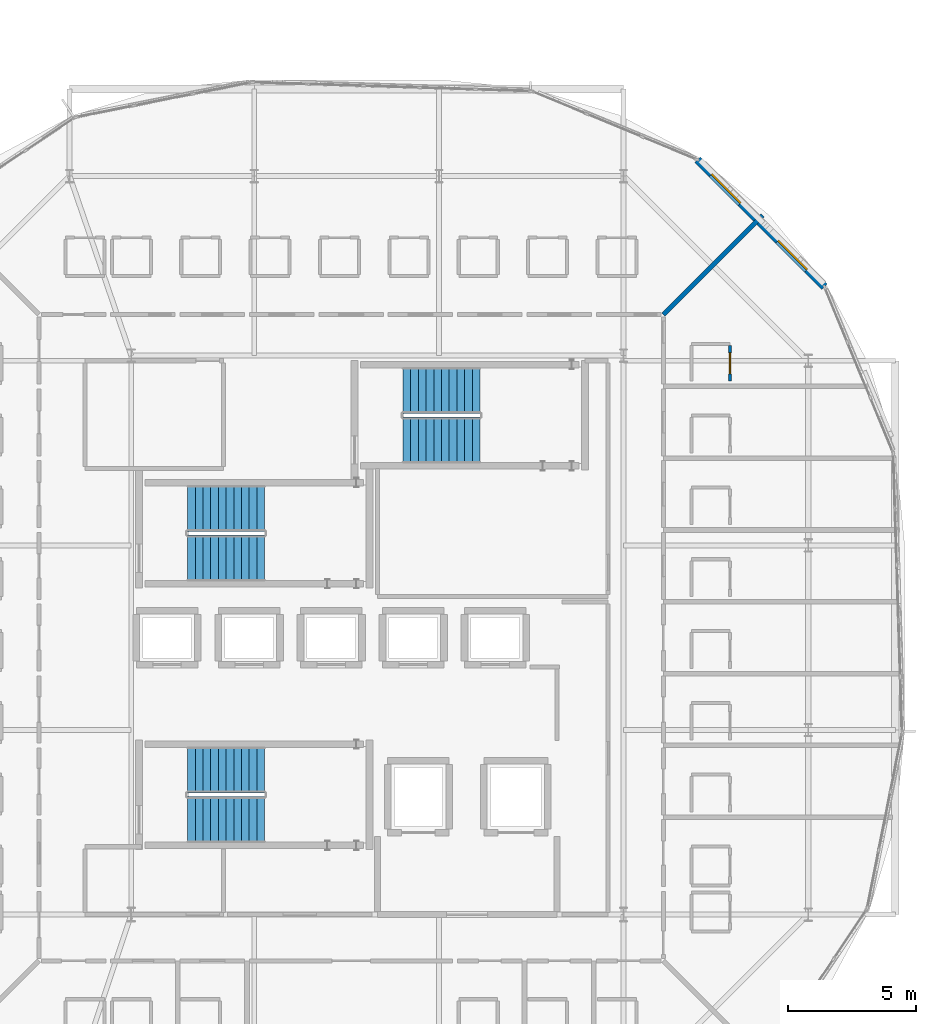
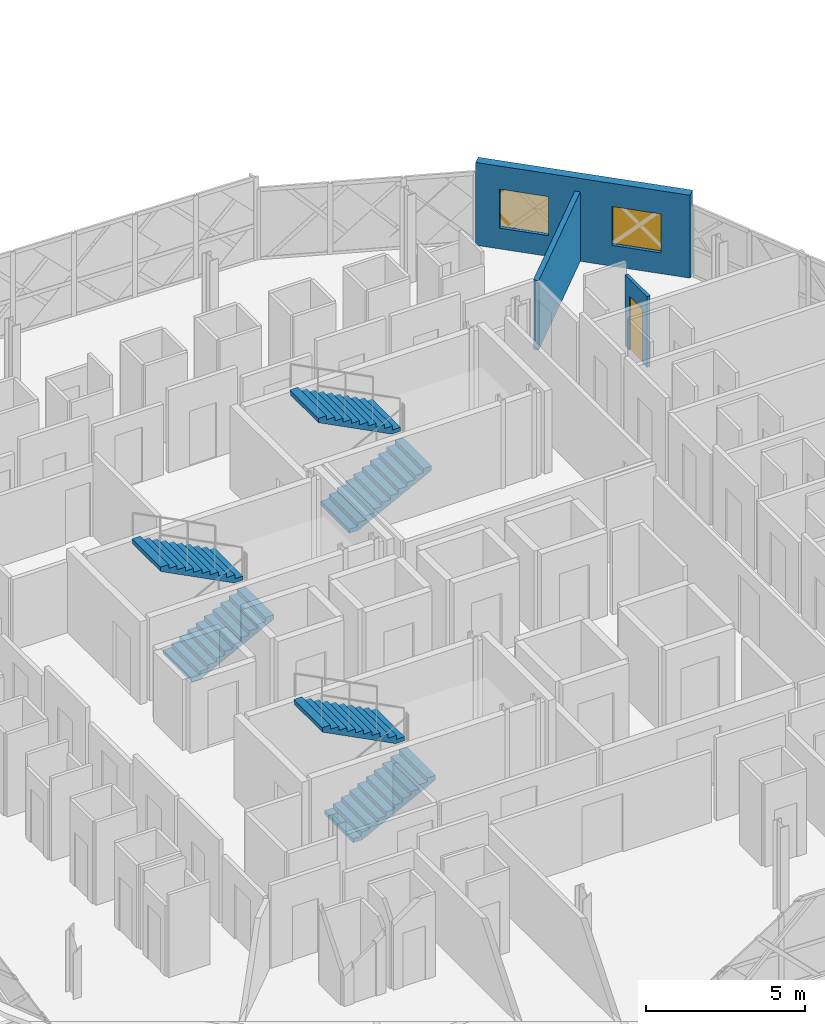
# One storey, part 21 of 26: 6 stair flights, 3 walls, 2 windows, 1 door, 3 openings, 3 elements without a shape of their own.
"""IFC4 building model written with IfcOpenShell, lengths in metres."""

from ifc_helpers import new_model, si_unit, direction, frame, frame_2d, origin, place, context, subcontext, project, spatial, polyline, rectangle, outline, extrude, material, layer, layer_set, type_object, element, fill, aggregate, save


model = new_model("IFC4")

# Units and contexts
model_context = context("Model", 3, precision=1e-05, world=origin(), true_north=direction((0.0, 1.0)))
body_context = subcontext(model_context, "Body", "Model", "MODEL_VIEW")
ifc_project = project(units=[si_unit("LENGTHUNIT", "METRE"), si_unit("AREAUNIT", "SQUARE_METRE"), si_unit("VOLUMEUNIT", "CUBIC_METRE"), si_unit("PLANEANGLEUNIT", "RADIAN"), si_unit("MASSUNIT", "GRAM", prefix="KILO")], contexts=[model_context])

# Site, building, storey
site_placement = place(None, origin())
site = spatial("IfcSite", under=ifc_project, at=site_placement, CompositionType="ELEMENT")
building_placement = place(site_placement, origin())
building = spatial("IfcBuilding", under=site, at=building_placement, Name="Zevrakil Square Congress Hotel", CompositionType="ELEMENT")
storey_placement = place(building_placement, frame((0.0, 0.0, 24.89990234375)))
storey = spatial("IfcBuildingStorey", under=building, at=storey_placement, Name="L07", CompositionType="ELEMENT", Elevation=24.89990234375)

# Wall, opening, door
ifc_material_1 = material(Name="Moisture-Resistant Gypsum Partition")
ifc_layer_1 = layer(ifc_material_1, 0.1201171875)
ifc_layer_set_1 = layer_set([ifc_layer_1], Name="Moisture-Resistant Gypsum Partition")
wall_type_1 = type_object("IfcWallType", Name="WAL-ENS-120", PredefinedType="PARTITIONING", material=ifc_layer_set_1)
wall_1_placement = place(storey_placement, frame((160.14990234375, 37.60498046875, 0.0), z_axis=(0.0, 0.0, 1.0), x_axis=(0.0, 1.0, 0.0)))
wall_1 = element("IfcWall", 1, at=wall_1_placement, inside=storey, type_object=wall_type_1, Name="L07 interior partition PW-L07-1018", PredefinedType="PARTITIONING", context=body_context, shape_type="SweptSolid", body=[
    extrude(rectangle(XDim=1.39013671875, YDim=0.1201171875, at=frame_2d((0.695068359375, 0.0))), origin(), (0.0, 0.0, 1.0), 2.72509765625),
])
opening_1_placement = place(wall_1_placement, frame((0.284912109375, 0.0, 0.0)))
opening_1 = element("IfcOpeningElement", 2, at=opening_1_placement, cuts=wall_1, Name="Opening ID-11", PredefinedType="OPENING", context=body_context, shape_type="SweptSolid", body=[
    extrude(rectangle(XDim=0.820068359375, YDim=2.080078125, at=frame_2d((0.41015625, 1.0400390625))), frame((0.0, 0.070068359375, 0.0), z_axis=(0.0, -1.0, 0.0), x_axis=(1.0, 0.0, 0.0)), (0.0, 0.0, 1.0), 0.14013671875),
])
ifc_material_2 = material(Name="Acoustic Timber Door", Category="wood")
door_type = type_object("IfcDoorType", Name="DOR-INT-V01", OperationType="NOTDEFINED", PredefinedType="DOOR", material=ifc_material_2)
door_placement = place(opening_1_placement, origin())
door = element("IfcDoor", 3, at=door_placement, inside=storey, type_object=door_type, Name="L07 interior door 399", OperationType="SINGLE_SWING_LEFT", OverallHeight=2.080078125, OverallWidth=0.820068359375, PredefinedType="DOOR", context=body_context, shape_type="SweptSolid", body=[
    extrude(rectangle(XDim=0.820068359375, YDim=2.080078125, at=frame_2d((0.41015625, 1.0400390625))), frame((0.0, 0.02490234375, 0.0), z_axis=(0.0, -1.0, 0.0), x_axis=(1.0, 0.0, 0.0)), (0.0, 0.0, 1.0), 0.050048828125),
])
fill(opening_1, door)

# Wall, openings, windows
ifc_material_3 = material(Name="Precast concrete C40/50", Category="concrete")
ifc_layer_2 = layer(ifc_material_3, 0.300048828125)
ifc_layer_set_2 = layer_set([ifc_layer_2], Name="Precast concrete C40/50")
wall_type_2 = type_object("IfcWallType", Name="WAL-EXT-DRM-300", PredefinedType="SOLIDWALL", material=ifc_layer_set_2)
wall_2_placement = place(storey_placement, frame((163.833984375, 41.2802734375, 0.0), z_axis=(0.0, 0.0, 1.0), x_axis=(-0.707106781187, 0.707106781187, 0.0)))
wall_2 = element("IfcWall", 4, at=wall_2_placement, inside=storey, type_object=wall_type_2, Name="L07 exterior GRC wall EW-L07-0131", PredefinedType="SOLIDWALL", context=body_context, shape_type="SweptSolid", body=[
    extrude(rectangle(XDim=7.00537109375, YDim=0.300048828125, at=frame_2d((3.502685546875, 0.0))), origin(), (0.0, 0.0, 1.0), 3.190185546875),
])
opening_2_placement = place(wall_2_placement, frame((0.959716796875, 0.0, 0.800048828125)))
opening_2 = element("IfcOpeningElement", 5, at=opening_2_placement, cuts=wall_2, Name="Opening WN-09", PredefinedType="OPENING", context=body_context, shape_type="SweptSolid", body=[
    extrude(rectangle(XDim=1.60009765625, YDim=1.5, at=frame_2d((0.800048828125, 0.75))), frame((0.0, 0.16015625, 0.0), z_axis=(0.0, -1.0, 0.0), x_axis=(1.0, 0.0, 0.0)), (0.0, 0.0, 1.0), 0.320068359375),
])
opening_3_placement = place(wall_2_placement, frame((4.62255859375, 0.0, 0.800048828125)))
opening_3 = element("IfcOpeningElement", 6, at=opening_3_placement, cuts=wall_2, Name="Opening WN-09", PredefinedType="OPENING", context=body_context, shape_type="SweptSolid", body=[
    extrude(rectangle(XDim=1.60009765625, YDim=1.5, at=frame_2d((0.800048828125, 0.75))), frame((0.0, 0.16015625, 0.0), z_axis=(0.0, -1.0, 0.0), x_axis=(1.0, 0.0, 0.0)), (0.0, 0.0, 1.0), 0.320068359375),
])
ifc_material_4 = material(Name="Low-E Solar Control Double Glazing", Category="glass")
window_type = type_object("IfcWindowType", Name="WIN-EXT-09", PartitioningType="SINGLE_PANEL", PredefinedType="WINDOW", material=ifc_material_4)
window_1_placement = place(opening_2_placement, origin())
window_1 = element("IfcWindow", 7, at=window_1_placement, inside=storey, type_object=window_type, Name="L07 hotel guestroom low-E window 106", OverallHeight=1.5, OverallWidth=1.60009765625, PartitioningType="SINGLE_PANEL", PredefinedType="WINDOW", context=body_context, shape_type="SweptSolid", body=[
    extrude(rectangle(XDim=1.60009765625, YDim=1.5, at=frame_2d((0.800048828125, 0.75))), frame((0.0, 0.030029296875, 0.0), z_axis=(0.0, -1.0, 0.0), x_axis=(1.0, 0.0, 0.0)), (0.0, 0.0, 1.0), 0.06005859375),
])
fill(opening_2, window_1)
window_2_placement = place(opening_3_placement, origin())
window_2 = element("IfcWindow", 8, at=window_2_placement, inside=storey, type_object=window_type, Name="L07 hotel guestroom low-E window 107", OverallHeight=1.5, OverallWidth=1.60009765625, PartitioningType="SINGLE_PANEL", PredefinedType="WINDOW", context=body_context, shape_type="SweptSolid", body=[
    extrude(rectangle(XDim=1.60009765625, YDim=1.5, at=frame_2d((0.800048828125, 0.75))), frame((0.0, 0.030029296875, 0.0), z_axis=(0.0, -1.0, 0.0), x_axis=(1.0, 0.0, 0.0)), (0.0, 0.0, 1.0), 0.06005859375),
])
fill(opening_3, window_2)

# Wall
ifc_material_5 = material(Name="Gypsum Twin-Stud Party Partition")
ifc_layer_3 = layer(ifc_material_5, 0.179931640625)
ifc_layer_set_3 = layer_set([ifc_layer_3], Name="Gypsum Twin-Stud Party Partition")
wall_type_3 = type_object("IfcWallType", Name="WAL-PARTY-180", PredefinedType="PARTITIONING", material=ifc_layer_set_3)
wall_3_placement = place(storey_placement, frame((157.550048828125, 40.199951171875, 0.0), z_axis=(0.0, 0.0, 1.0), x_axis=(0.707106781187, 0.707106781187, 0.0)))
element("IfcWall", 9, at=wall_3_placement, inside=storey, type_object=wall_type_3, Name="L07 interior partition PW-L07-1019", PredefinedType="PARTITIONING", context=body_context, shape_type="SweptSolid", body=[
    extrude(rectangle(XDim=5.474609375, YDim=0.179931640625, at=frame_2d((2.7373046875, 0.0))), origin(), (0.0, 0.0, 1.0), 2.675048828125),
])

# Stair, stair flights
ifc_material_6 = material(Name="Concrete C35/45", Category="concrete")
stair_type = type_object("IfcStairType", Name="STR-DOGLEG-180", PredefinedType="HALF_TURN_STAIR", material=ifc_material_6)
stair_1_placement = place(storey_placement, origin())
stair_1 = element("IfcStair", 10, at=stair_1_placement, inside=storey, type_object=stair_type, Name="L07 Protected exit stair ST01", PredefinedType="HALF_TURN_STAIR")
ifc_material_7 = material(Name="Concrete C35/45", Category="concrete")
ifc_layer_4 = layer(ifc_material_7, 0.159912109375)
ifc_layer_set_4 = layer_set([ifc_layer_4], Name="Concrete C35/45")
stair_flight_type = type_object("IfcStairFlightType", Name="SFL-STRAIGHT-180", PredefinedType="STRAIGHT", material=ifc_layer_set_4)
stair_flight_1_placement = place(storey_placement, frame((139.0, 20.5, 0.0), z_axis=(0.0, 0.0, 1.0), x_axis=(1.0, 0.0, 0.0)))
stair_flight_1 = element("IfcStairFlight", 11, at=stair_flight_1_placement, type_object=stair_flight_type, Name="ST01 flight 1", NumberOfRisers=11, NumberOfTreads=10, PredefinedType="STRAIGHT", RiserHeight=0.154545455, TreadLength=0.3, context=body_context, shape_type="SweptSolid", body=[
    extrude(outline(polyline([(0.0, 0.0), (0.0, 0.154541015625), (0.300048828125, 0.154541015625), (0.300048828125, 0.30908203125), (0.60009765625, 0.30908203125), (0.60009765625, 0.463623046875), (0.89990234375, 0.463623046875), (0.89990234375, 0.6181640625), (1.199951171875, 0.6181640625), (1.199951171875, 0.772705078125), (1.5, 0.772705078125), (1.5, 0.92724609375), (1.800048828125, 0.92724609375), (1.800048828125, 1.081787109375), (2.10009765625, 1.081787109375), (2.10009765625, 1.236328125), (2.39990234375, 1.236328125), (2.39990234375, 1.390869140625), (2.699951171875, 1.390869140625), (2.699951171875, 1.54541015625), (3.0, 1.54541015625), (3.0, 1.699951171875), (3.0, 1.376708984375), (0.327392578125, 0.0), (0.0, 0.0)])), frame((0.0, 0.89990234375, 0.0), z_axis=(0.0, -1.0, 0.0), x_axis=(1.0, 0.0, 0.0)), (0.0, 0.0, 1.0), 1.800048828125),
])
stair_flight_2_placement = place(storey_placement, frame((142.0, 22.449951171875, 1.7001953125), z_axis=(0.0, 0.0, 1.0), x_axis=(-1.0, 0.0, 0.0)))
stair_flight_2 = element("IfcStairFlight", 12, at=stair_flight_2_placement, type_object=stair_flight_type, Name="ST01 flight 2", NumberOfRisers=11, NumberOfTreads=10, PredefinedType="STRAIGHT", RiserHeight=0.154545455, TreadLength=0.3, context=body_context, shape_type="SweptSolid", body=[
    extrude(outline(polyline([(0.0, 0.0), (0.0, 0.154541015625), (0.300048828125, 0.154541015625), (0.300048828125, 0.30908203125), (0.60009765625, 0.30908203125), (0.60009765625, 0.463623046875), (0.89990234375, 0.463623046875), (0.89990234375, 0.6181640625), (1.199951171875, 0.6181640625), (1.199951171875, 0.772705078125), (1.5, 0.772705078125), (1.5, 0.92724609375), (1.800048828125, 0.92724609375), (1.800048828125, 1.081787109375), (2.10009765625, 1.081787109375), (2.10009765625, 1.236328125), (2.39990234375, 1.236328125), (2.39990234375, 1.390869140625), (2.699951171875, 1.390869140625), (2.699951171875, 1.54541015625), (3.0, 1.54541015625), (3.0, 1.699951171875), (3.0, 1.376708984375), (0.327392578125, 0.0), (0.0, 0.0)])), frame((0.0, 0.89990234375, 0.0), z_axis=(0.0, -1.0, 0.0), x_axis=(1.0, 0.0, 0.0)), (0.0, 0.0, 1.0), 1.800048828125),
])
aggregate(stair_1, [stair_flight_1, stair_flight_2])

stair_2_placement = place(storey_placement, origin())
stair_2 = element("IfcStair", 13, at=stair_2_placement, inside=storey, type_object=stair_type, Name="L07 Protected exit stair ST02", PredefinedType="HALF_TURN_STAIR")
stair_flight_3_placement = place(storey_placement, frame((139.0, 30.699951171875, 0.0), z_axis=(0.0, 0.0, 1.0), x_axis=(1.0, 0.0, 0.0)))
stair_flight_3 = element("IfcStairFlight", 14, at=stair_flight_3_placement, type_object=stair_flight_type, Name="ST02 flight 1", NumberOfRisers=11, NumberOfTreads=10, PredefinedType="STRAIGHT", RiserHeight=0.154545455, TreadLength=0.3, context=body_context, shape_type="SweptSolid", body=[
    extrude(outline(polyline([(0.0, 0.0), (0.0, 0.154541015625), (0.300048828125, 0.154541015625), (0.300048828125, 0.30908203125), (0.60009765625, 0.30908203125), (0.60009765625, 0.463623046875), (0.89990234375, 0.463623046875), (0.89990234375, 0.6181640625), (1.199951171875, 0.6181640625), (1.199951171875, 0.772705078125), (1.5, 0.772705078125), (1.5, 0.92724609375), (1.800048828125, 0.92724609375), (1.800048828125, 1.081787109375), (2.10009765625, 1.081787109375), (2.10009765625, 1.236328125), (2.39990234375, 1.236328125), (2.39990234375, 1.390869140625), (2.699951171875, 1.390869140625), (2.699951171875, 1.54541015625), (3.0, 1.54541015625), (3.0, 1.699951171875), (3.0, 1.376708984375), (0.327392578125, 0.0), (0.0, 0.0)])), frame((0.0, 0.89990234375, 0.0), z_axis=(0.0, -1.0, 0.0), x_axis=(1.0, 0.0, 0.0)), (0.0, 0.0, 1.0), 1.800048828125),
])
stair_flight_4_placement = place(storey_placement, frame((142.0, 32.64990234375, 1.7001953125), z_axis=(0.0, 0.0, 1.0), x_axis=(-1.0, 0.0, 0.0)))
stair_flight_4 = element("IfcStairFlight", 15, at=stair_flight_4_placement, type_object=stair_flight_type, Name="ST02 flight 2", NumberOfRisers=11, NumberOfTreads=10, PredefinedType="STRAIGHT", RiserHeight=0.154545455, TreadLength=0.3, context=body_context, shape_type="SweptSolid", body=[
    extrude(outline(polyline([(0.0, 0.0), (0.0, 0.154541015625), (0.300048828125, 0.154541015625), (0.300048828125, 0.30908203125), (0.60009765625, 0.30908203125), (0.60009765625, 0.463623046875), (0.89990234375, 0.463623046875), (0.89990234375, 0.6181640625), (1.199951171875, 0.6181640625), (1.199951171875, 0.772705078125), (1.5, 0.772705078125), (1.5, 0.92724609375), (1.800048828125, 0.92724609375), (1.800048828125, 1.081787109375), (2.10009765625, 1.081787109375), (2.10009765625, 1.236328125), (2.39990234375, 1.236328125), (2.39990234375, 1.390869140625), (2.699951171875, 1.390869140625), (2.699951171875, 1.54541015625), (3.0, 1.54541015625), (3.0, 1.699951171875), (3.0, 1.376708984375), (0.327392578125, 0.0), (0.0, 0.0)])), frame((0.0, 0.89990234375, 0.0), z_axis=(0.0, -1.0, 0.0), x_axis=(1.0, 0.0, 0.0)), (0.0, 0.0, 1.0), 1.800048828125),
])
aggregate(stair_2, [stair_flight_3, stair_flight_4])

stair_3_placement = place(storey_placement, origin())
stair_3 = element("IfcStair", 16, at=stair_3_placement, inside=storey, type_object=stair_type, Name="L07 Protected exit stair ST03", PredefinedType="HALF_TURN_STAIR")
stair_flight_5_placement = place(storey_placement, frame((147.39990234375, 35.300048828125, 0.0), z_axis=(0.0, 0.0, 1.0), x_axis=(1.0, 0.0, 0.0)))
stair_flight_5 = element("IfcStairFlight", 17, at=stair_flight_5_placement, type_object=stair_flight_type, Name="ST03 flight 1", NumberOfRisers=11, NumberOfTreads=10, PredefinedType="STRAIGHT", RiserHeight=0.154545455, TreadLength=0.3, context=body_context, shape_type="SweptSolid", body=[
    extrude(outline(polyline([(0.0, 0.0), (0.0, 0.154541015625), (0.300048828125, 0.154541015625), (0.300048828125, 0.30908203125), (0.60009765625, 0.30908203125), (0.60009765625, 0.463623046875), (0.89990234375, 0.463623046875), (0.89990234375, 0.6181640625), (1.199951171875, 0.6181640625), (1.199951171875, 0.772705078125), (1.5, 0.772705078125), (1.5, 0.92724609375), (1.800048828125, 0.92724609375), (1.800048828125, 1.081787109375), (2.10009765625, 1.081787109375), (2.10009765625, 1.236328125), (2.39990234375, 1.236328125), (2.39990234375, 1.390869140625), (2.699951171875, 1.390869140625), (2.699951171875, 1.54541015625), (3.0, 1.54541015625), (3.0, 1.699951171875), (3.0, 1.376708984375), (0.327392578125, 0.0), (0.0, 0.0)])), frame((0.0, 0.89990234375, 0.0), z_axis=(0.0, -1.0, 0.0), x_axis=(1.0, 0.0, 0.0)), (0.0, 0.0, 1.0), 1.800048828125),
])
stair_flight_6_placement = place(storey_placement, frame((150.39990234375, 37.25, 1.7001953125), z_axis=(0.0, 0.0, 1.0), x_axis=(-1.0, 0.0, 0.0)))
stair_flight_6 = element("IfcStairFlight", 18, at=stair_flight_6_placement, type_object=stair_flight_type, Name="ST03 flight 2", NumberOfRisers=11, NumberOfTreads=10, PredefinedType="STRAIGHT", RiserHeight=0.154545455, TreadLength=0.3, context=body_context, shape_type="SweptSolid", body=[
    extrude(outline(polyline([(0.0, 0.0), (0.0, 0.154541015625), (0.300048828125, 0.154541015625), (0.300048828125, 0.30908203125), (0.60009765625, 0.30908203125), (0.60009765625, 0.463623046875), (0.89990234375, 0.463623046875), (0.89990234375, 0.6181640625), (1.199951171875, 0.6181640625), (1.199951171875, 0.772705078125), (1.5, 0.772705078125), (1.5, 0.92724609375), (1.800048828125, 0.92724609375), (1.800048828125, 1.081787109375), (2.10009765625, 1.081787109375), (2.10009765625, 1.236328125), (2.39990234375, 1.236328125), (2.39990234375, 1.390869140625), (2.699951171875, 1.390869140625), (2.699951171875, 1.54541015625), (3.0, 1.54541015625), (3.0, 1.699951171875), (3.0, 1.376708984375), (0.327392578125, 0.0), (0.0, 0.0)])), frame((0.0, 0.89990234375, 0.0), z_axis=(0.0, -1.0, 0.0), x_axis=(1.0, 0.0, 0.0)), (0.0, 0.0, 1.0), 1.800048828125),
])
aggregate(stair_3, [stair_flight_5, stair_flight_6])

save(model, "model.ifc")
